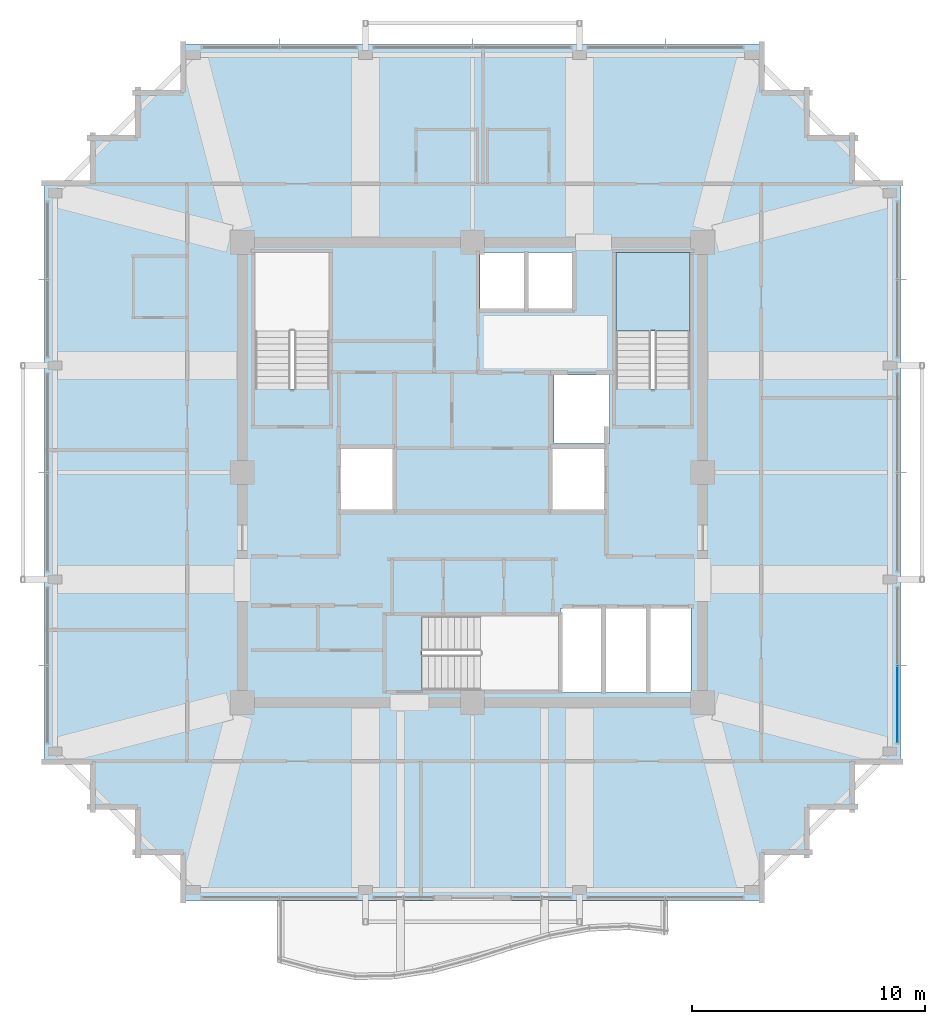
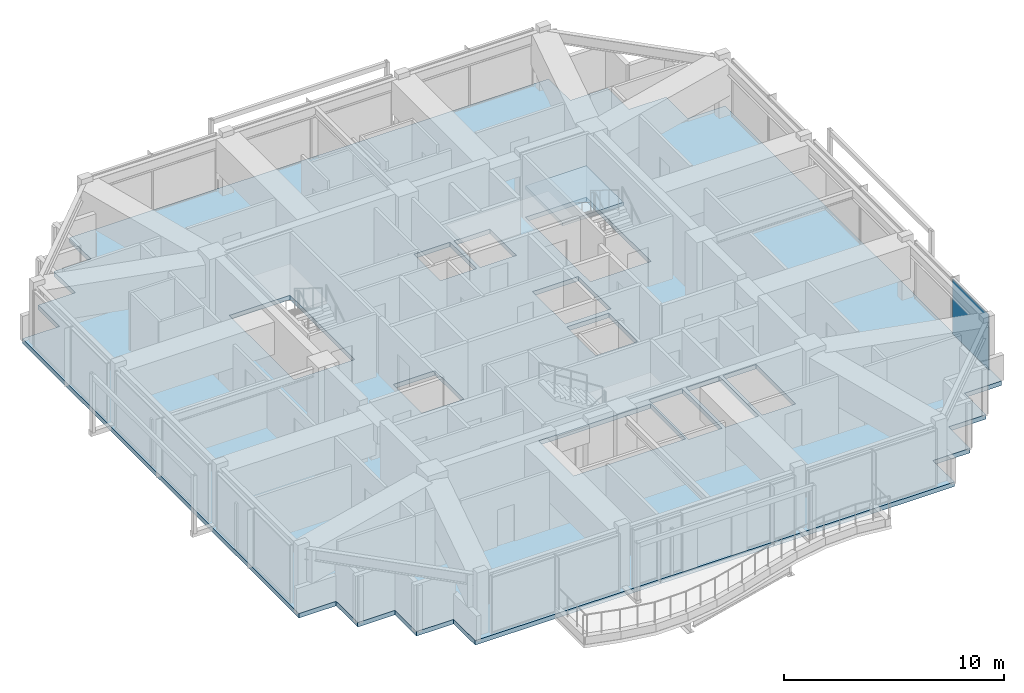
# One storey, part 23 of 30: 2 slabs, 1 plate, 2 elements without a shape of their own.
"""IFC4 building model written with IfcOpenShell, lengths in metres."""

from ifc_helpers import new_model, si_unit, direction, frame, origin, origin_2d, place, context, subcontext, project, spatial, polyline, rectangle, outline, extrude, material, layer, layer_set, type_object, element, aggregate, save


model = new_model("IFC4")

# Units and contexts
model_context = context("Model", 3, precision=1e-05, world=origin(), true_north=direction((0.0, 1.0)))
body_context = subcontext(model_context, "Body", "Model", "MODEL_VIEW")
ifc_project = project(units=[si_unit("LENGTHUNIT", "METRE"), si_unit("AREAUNIT", "SQUARE_METRE"), si_unit("VOLUMEUNIT", "CUBIC_METRE"), si_unit("PLANEANGLEUNIT", "RADIAN"), si_unit("MASSUNIT", "GRAM", prefix="KILO")], contexts=[model_context])

# Site, building, storey
site_placement = place(None, origin())
site = spatial("IfcSite", under=ifc_project, at=site_placement, CompositionType="ELEMENT")
building_placement = place(site_placement, origin())
building = spatial("IfcBuilding", under=site, at=building_placement, Name="Kolvaren Belvedere", CompositionType="ELEMENT")
storey_placement = place(building_placement, frame((0.0, 0.0, 254.89990234375)))
storey = spatial("IfcBuildingStorey", under=building, at=storey_placement, Name="L74", CompositionType="ELEMENT", Elevation=254.89990234375)

# Curtain wall, plate
ifc_material_1 = material(Name="Anodised pale-metal aluminium AA 6063-T6", Category="aluminium")
curtain_wall_type = type_object("IfcCurtainWallType", Name="CW-Z5-HIGH", PredefinedType="NOTDEFINED", material=ifc_material_1)
curtain_wall_placement = place(storey_placement, origin())
curtain_wall = element("IfcCurtainWall", 1, at=curtain_wall_placement, inside=storey, type_object=curtain_wall_type, Name="L74 Unitised Curtain Wall FCW-L74-E-B3", PredefinedType="NOTDEFINED")
ifc_material_2 = material(Name="Low-iron triple insulated glass", Category="glass")
ifc_layer_1 = layer(ifc_material_2, 0.028076171875)
ifc_layer_set_1 = layer_set([ifc_layer_1], Name="Low-iron triple insulated glass")
plate_type = type_object("IfcPlateType", Name="CW-PNL-VIS28", PredefinedType="CURTAIN_PANEL", material=ifc_layer_set_1)
plate_placement = place(storey_placement, frame((18.280029296875, -9.972412109375, 0.080078125), z_axis=(0.0, 0.0, 1.0), x_axis=(0.0, -1.0, 0.0)))
plate = element("IfcPlate", 2, at=plate_placement, type_object=plate_type, Name="FCW-L74-E-B3 Vision Glazing Panel 2", PredefinedType="CURTAIN_PANEL", context=body_context, shape_type="SweptSolid", body=[
    extrude(rectangle(XDim=3.264892578125, YDim=0.028076171875, at=origin_2d()), origin(), (0.0, 0.0, 1.0), 3.06005859375),
])
aggregate(curtain_wall, [plate])

# Slab
ifc_material_3 = material(Name="Concrete C50/60", Category="concrete")
ifc_layer_2 = layer(ifc_material_3, 0.25)
ifc_layer_set_2 = layer_set([ifc_layer_2], Name="Concrete C50/60")
slab_type_1 = type_object("IfcSlabType", Name="SL-FLR-250", PredefinedType="FLOOR", material=ifc_layer_set_2)
slab_1_placement = place(storey_placement, frame((0.0, 0.0, -0.25)))
element("IfcSlab", 3, at=slab_1_placement, inside=storey, type_object=slab_type_1, Name="L74 Primary Structural Slab", PredefinedType="FLOOR", context=body_context, shape_type="SweptSolid", body=[
    extrude(outline(polyline([(-12.550048828125, -18.39990234375), (12.550048828125, -18.39990234375), (12.550048828125, -16.449951171875), (14.5, -16.449951171875), (14.5, -14.5), (16.449951171875, -14.5), (16.449951171875, -12.550048828125), (18.39990234375, -12.550048828125), (18.39990234375, 12.550048828125), (16.449951171875, 12.550048828125), (16.449951171875, 14.5), (14.5, 14.5), (14.5, 16.449951171875), (12.550048828125, 16.449951171875), (12.550048828125, 18.39990234375), (-12.550048828125, 18.39990234375), (-12.550048828125, 16.449951171875), (-14.5, 16.449951171875), (-14.5, 14.5), (-16.449951171875, 14.5), (-16.449951171875, 12.550048828125), (-18.39990234375, 12.550048828125), (-18.39990234375, -12.550048828125), (-16.449951171875, -12.550048828125), (-16.449951171875, -14.5), (-14.5, -14.5), (-14.5, -16.449951171875), (-12.550048828125, -16.449951171875), (-12.550048828125, -18.39990234375)]), holes=[polyline([(-9.35009765625, 3.580078125), (-6.159912109375, 3.580078125), (-6.159912109375, 9.449951171875), (-9.35009765625, 9.449951171875), (-9.35009765625, 3.580078125)]), polyline([(6.159912109375, 3.580078125), (9.35009765625, 3.580078125), (9.35009765625, 9.449951171875), (6.159912109375, 9.449951171875), (6.159912109375, 3.580078125)]), polyline([(-2.169921875, -9.35009765625), (3.699951171875, -9.35009765625), (3.699951171875, -6.159912109375), (-2.169921875, -6.159912109375), (-2.169921875, -9.35009765625)]), polyline([(-5.64990234375, -1.60009765625), (-3.449951171875, -1.60009765625), (-3.449951171875, 1.0), (-5.64990234375, 1.0), (-5.64990234375, -1.60009765625)]), polyline([(3.5, 1.25), (5.89990234375, 1.25), (5.89990234375, 4.199951171875), (3.5, 4.199951171875), (3.5, 1.25)]), polyline([(3.449951171875, -1.60009765625), (5.64990234375, -1.60009765625), (5.64990234375, 1.0), (3.449951171875, 1.0), (3.449951171875, -1.60009765625)]), polyline([(3.7900390625, -9.449951171875), (5.5400390625, -9.449951171875), (5.5400390625, -5.85009765625), (3.7900390625, -5.85009765625), (3.7900390625, -9.449951171875)]), polyline([(5.719970703125, -9.449951171875), (7.469970703125, -9.449951171875), (7.469970703125, -5.85009765625), (5.719970703125, -5.85009765625), (5.719970703125, -9.449951171875)]), polyline([(7.64990234375, -9.449951171875), (9.39990234375, -9.449951171875), (9.39990234375, -5.85009765625), (7.64990234375, -5.85009765625), (7.64990234375, -9.449951171875)]), polyline([(0.320068359375, 7.050048828125), (2.219970703125, 7.050048828125), (2.219970703125, 9.449951171875), (0.320068359375, 9.449951171875), (0.320068359375, 7.050048828125)]), polyline([(2.39990234375, 7.050048828125), (4.300048828125, 7.050048828125), (4.300048828125, 9.449951171875), (2.39990234375, 9.449951171875), (2.39990234375, 7.050048828125)])]), origin(), (0.0, 0.0, 1.0), 0.25),
])

# Stair, slab
ifc_material_4 = material(Name="Concrete C50/60", Category="concrete")
stair_type = type_object("IfcStairType", Name="ST-CORE-1520", PredefinedType="HALF_TURN_STAIR", material=ifc_material_4)
stair_placement = place(storey_placement, origin())
stair = element("IfcStair", 4, at=stair_placement, inside=storey, type_object=stair_type, Name="L74 Protected Exit Stair ST-2", PredefinedType="HALF_TURN_STAIR")
ifc_material_5 = material(Name="Concrete C50/60", Category="concrete")
ifc_layer_3 = layer(ifc_material_5, 0.260009765625)
ifc_layer_set_3 = layer_set([ifc_layer_3], Name="Concrete C50/60")
slab_type_2 = type_object("IfcSlabType", Name="SL-LAND-260", PredefinedType="LANDING", material=ifc_layer_set_3)
slab_2_placement = place(storey_placement, frame((0.0, 0.0, 1.550048828125)))
slab_2 = element("IfcSlab", 5, at=slab_2_placement, type_object=slab_type_2, Name="ST-2 landing 1", PredefinedType="LANDING", context=body_context, shape_type="SweptSolid", body=[
    extrude(outline(polyline([(9.35009765625, 6.090087890625), (9.35009765625, 9.449951171875), (6.159912109375, 9.449951171875), (6.159912109375, 6.090087890625), (9.35009765625, 6.090087890625)])), origin(), (0.0, 0.0, 1.0), 0.199951171875),
])
aggregate(stair, [slab_2])

save(model, "model.ifc")
